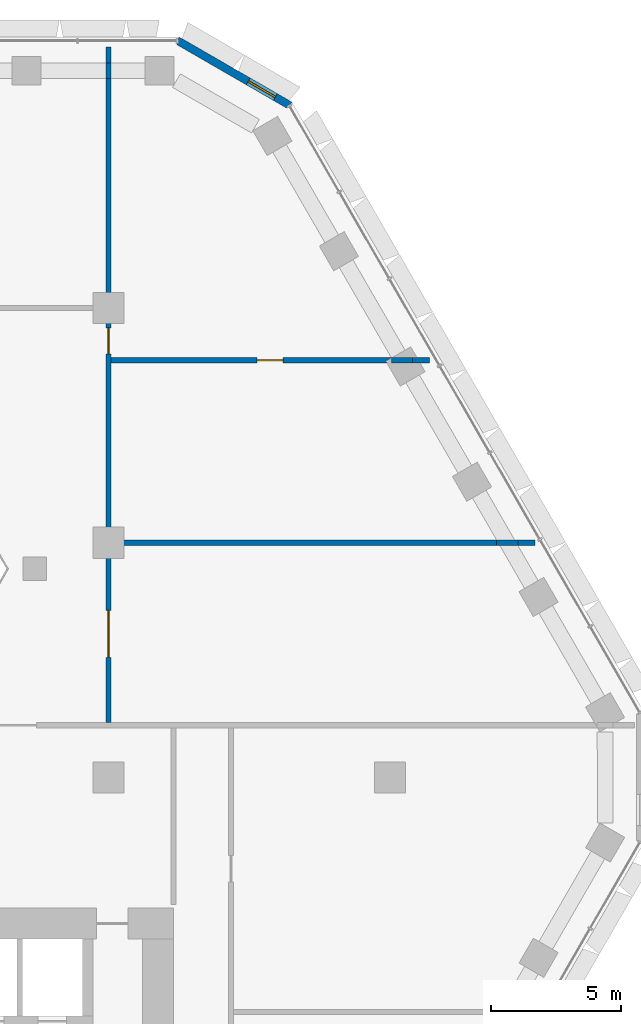
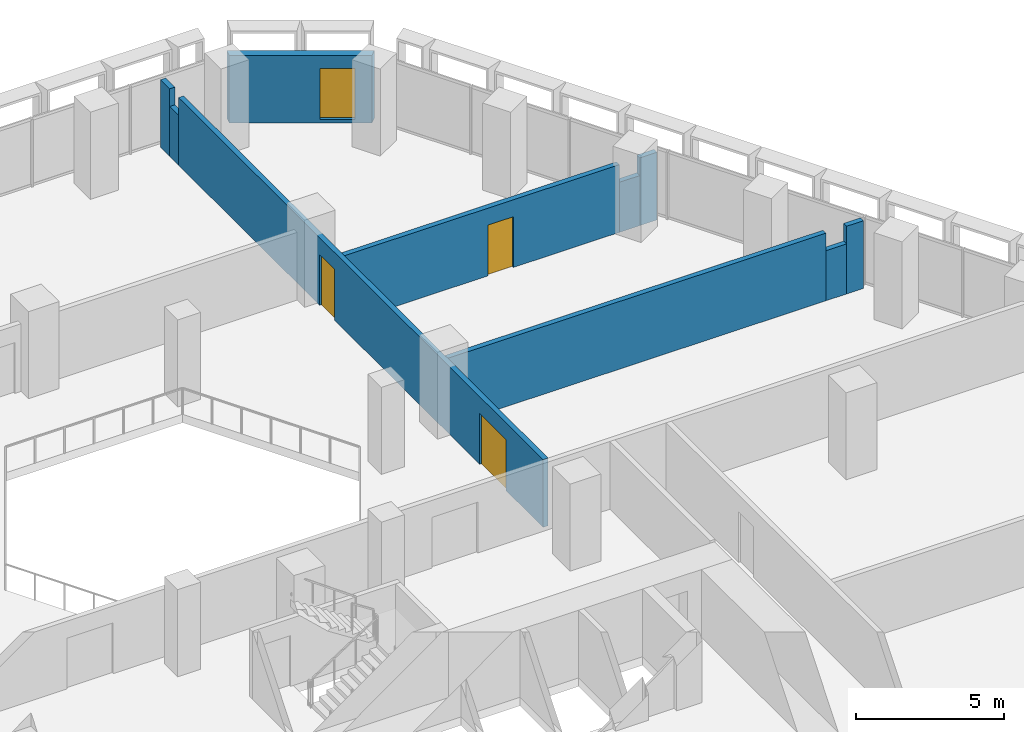
# One storey, part 14 of 21: 10 walls, 3 doors, 1 window, 4 openings.
"""IFC4 building model written with IfcOpenShell, lengths in metres."""

from ifc_helpers import new_model, si_unit, direction, frame, frame_2d, origin, place, context, subcontext, project, spatial, polyline, rectangle, outline, extrude, material, layer, layer_set, type_object, element, fill, save


model = new_model("IFC4")

# Units and contexts
model_context = context("Model", 3, precision=1e-05, world=origin(), true_north=direction((0.0, 1.0)))
body_context = subcontext(model_context, "Body", "Model", "MODEL_VIEW")
ifc_project = project(units=[si_unit("LENGTHUNIT", "METRE"), si_unit("AREAUNIT", "SQUARE_METRE"), si_unit("VOLUMEUNIT", "CUBIC_METRE"), si_unit("PLANEANGLEUNIT", "RADIAN"), si_unit("MASSUNIT", "GRAM", prefix="KILO")], contexts=[model_context])

# Site, building, storey
site_placement = place(None, origin())
site = spatial("IfcSite", under=ifc_project, at=site_placement, CompositionType="ELEMENT")
building_placement = place(site_placement, origin())
building = spatial("IfcBuilding", under=site, at=building_placement, Name="Beryl Residences", CompositionType="ELEMENT")
storey_placement = place(building_placement, frame((0.0, 0.0, 19.800048828125)))
storey = spatial("IfcBuildingStorey", under=building, at=storey_placement, Name="L05", CompositionType="ELEMENT", Elevation=19.800048828125)

# Wall, opening, window
ifc_material_1 = material(Name="Composite metal panel with mineral wool insulation")
ifc_layer_1 = layer(ifc_material_1, 0.300048828125)
ifc_layer_set_1 = layer_set([ifc_layer_1], Name="ES1 pale metal composite panel wall 300 mm")
wall_type_1 = type_object("IfcWallType", Name="ES1 pale metal composite panel wall 300 mm", PredefinedType="SOLIDWALL", material=ifc_layer_set_1)
wall_1_placement = place(storey_placement, frame((17.764892578125, 25.77001953125, 0.0), z_axis=(0.0, 0.0, 1.0), x_axis=(-0.866010750942, 0.50002537861, 0.0)))
wall_1 = element("IfcWall", 1, at=wall_1_placement, inside=storey, type_object=wall_type_1, Name="ES1 external wall L05 NE-N", PredefinedType="SOLIDWALL", context=body_context, shape_type="SweptSolid", body=[
    extrude(outline(polyline([(0.0, -0.14990234375), (4.999755859375, -0.14990234375), (4.91943359375, 0.14990234375), (0.080322265625, 0.14990234375), (0.0, -0.14990234375)])), origin(), (0.0, 0.0, 1.0), 2.800048828125),
])
opening_1_placement = place(wall_1_placement, frame((0.64990234375, 0.0, 0.14990234375)))
opening_1 = element("IfcOpeningElement", 2, at=opening_1_placement, cuts=wall_1, Name="Opening W2", PredefinedType="OPENING", context=body_context, shape_type="SweptSolid", body=[
    extrude(rectangle(XDim=1.199951171875, YDim=2.10009765625, at=frame_2d((0.60009765625, 1.050048828125))), frame((0.0, 0.159912109375, 0.0), z_axis=(0.0, -1.0, 0.0), x_axis=(1.0, 0.0, 0.0)), (0.0, 0.0, 1.0), 0.320068359375),
])
ifc_material_2 = material(Name="Aluminium and clear glass", Category="aluminium")
window_type = type_object("IfcWindowType", Name="W2 chamfer window 1200 x 2100 mm", PartitioningType="SINGLE_PANEL", PredefinedType="WINDOW", material=ifc_material_2)
window_placement = place(opening_1_placement, origin())
window = element("IfcWindow", 3, at=window_placement, inside=storey, type_object=window_type, Name="W2 window L05 NE-N 1", OverallHeight=2.10009765625, OverallWidth=1.199951171875, PartitioningType="SINGLE_PANEL", PredefinedType="WINDOW", context=body_context, shape_type="SweptSolid", body=[
    extrude(rectangle(XDim=1.199951171875, YDim=2.10009765625, at=frame_2d((0.60009765625, 1.050048828125))), frame((0.0, 0.030029296875, 0.0), z_axis=(0.0, -1.0, 0.0), x_axis=(1.0, 0.0, 0.0)), (0.0, 0.0, 1.0), 0.06005859375),
])
fill(opening_1, window)

# Walls
ifc_material_3 = material(Name="Double stud gypsum board wall")
ifc_layer_2 = layer(ifc_material_3, 0.199951171875)
ifc_layer_set_2 = layer_set([ifc_layer_2], Name="PT4 corridor wall 200 mm double stud")
wall_type_2 = type_object("IfcWallType", Name="PT4 corridor wall 200 mm double stud", PredefinedType="PARTITIONING", material=ifc_layer_set_2)
wall_2_placement = place(storey_placement, frame((10.89990234375, 9.0, 0.0), z_axis=(0.0, 0.0, 1.0), x_axis=(1.0, 0.0, 0.0)))
element("IfcWall", 4, at=wall_2_placement, inside=storey, type_object=wall_type_2, Name="Wall PT4 L05 013", PredefinedType="PARTITIONING", context=body_context, shape_type="SweptSolid", body=[
    extrude(rectangle(XDim=14.7919921875, YDim=0.199951171875, at=frame_2d((7.39599609375, 0.0))), origin(), (0.0, 0.0, 1.0), 2.800048828125),
])
wall_3_placement = place(storey_placement, frame((25.69189453125, 9.0, 0.0), z_axis=(0.0, 0.0, 1.0), x_axis=(1.0, 0.0, 0.0)))
element("IfcWall", 5, at=wall_3_placement, inside=storey, type_object=wall_type_2, Name="Wall PT4 L05 014", PredefinedType="PARTITIONING", context=body_context, shape_type="SweptSolid", body=[
    extrude(rectangle(XDim=0.80908203125, YDim=0.199951171875, at=frame_2d((0.404541015625, 0.0))), origin(), (0.0, 0.0, 1.0), 2.070068359375),
])
wall_4_placement = place(storey_placement, frame((26.5009765625, 9.0, 0.0), z_axis=(0.0, 0.0, 1.0), x_axis=(1.0, 0.0, 0.0)))
element("IfcWall", 6, at=wall_4_placement, inside=storey, type_object=wall_type_2, Name="Wall PT4 L05 015", PredefinedType="PARTITIONING", context=body_context, shape_type="SweptSolid", body=[
    extrude(rectangle(XDim=0.656982421875, YDim=0.199951171875, at=frame_2d((0.32861328125, 0.0))), origin(), (0.0, 0.0, 1.0), 2.800048828125),
])

# Wall, opening, door
wall_5_placement = place(storey_placement, frame((10.89990234375, 16.0, 0.0), z_axis=(0.0, 0.0, 1.0), x_axis=(1.0, 0.0, 0.0)))
wall_5 = element("IfcWall", 7, at=wall_5_placement, inside=storey, type_object=wall_type_2, Name="Wall PT4 L05 019", PredefinedType="PARTITIONING", context=body_context, shape_type="SweptSolid", body=[
    extrude(rectangle(XDim=10.7509765625, YDim=0.199951171875, at=frame_2d((5.37548828125, 0.0))), origin(), (0.0, 0.0, 1.0), 2.800048828125),
])
opening_2_placement = place(wall_5_placement, frame((6.60498046875, 0.0, 0.0), z_axis=(0.0, 0.0, 1.0), x_axis=(-1.0, 0.0, 0.0)))
opening_2 = element("IfcOpeningElement", 8, at=opening_2_placement, cuts=wall_5, Name="Opening L05-12", PredefinedType="OPENING", context=body_context, shape_type="SweptSolid", body=[
    extrude(rectangle(XDim=1.0, YDim=2.10009765625, at=frame_2d((0.5, 1.050048828125))), frame((0.0, 0.10986328125, 0.0), z_axis=(0.0, -1.0, 0.0), x_axis=(1.0, 0.0, 0.0)), (0.0, 0.0, 1.0), 0.219970703125),
])
ifc_material_4 = material(Name="Timber door leaf", Category="wood")
door_type_1 = type_object("IfcDoorType", Name="D9 corridor door 1000 x 2100 mm", OperationType="SINGLE_SWING_LEFT", PredefinedType="DOOR", material=ifc_material_4)
door_1_placement = place(opening_2_placement, origin())
door_1 = element("IfcDoor", 9, at=door_1_placement, inside=storey, type_object=door_type_1, Name="Door L05-12 L05 001", OperationType="SINGLE_SWING_LEFT", OverallHeight=2.10009765625, OverallWidth=1.0, PredefinedType="DOOR", context=body_context, shape_type="SweptSolid", body=[
    extrude(rectangle(XDim=1.0, YDim=2.10009765625, at=frame_2d((0.5, 1.050048828125))), frame((0.0, 0.02490234375, 0.0), z_axis=(0.0, -1.0, 0.0), x_axis=(1.0, 0.0, 0.0)), (0.0, 0.0, 1.0), 0.050048828125),
])
fill(opening_2, door_1)

# Walls
wall_6_placement = place(storey_placement, frame((21.65087890625, 16.0, 0.0), z_axis=(0.0, 0.0, 1.0), x_axis=(1.0, 0.0, 0.0)))
element("IfcWall", 10, at=wall_6_placement, inside=storey, type_object=wall_type_2, Name="Wall PT4 L05 020", PredefinedType="PARTITIONING", context=body_context, shape_type="SweptSolid", body=[
    extrude(rectangle(XDim=0.802001953125, YDim=0.199951171875, at=frame_2d((0.40087890625, 0.0))), origin(), (0.0, 0.0, 1.0), 2.070068359375),
])
wall_7_placement = place(storey_placement, frame((22.452880859375, 16.0, 0.0), z_axis=(0.0, 0.0, 1.0), x_axis=(1.0, 0.0, 0.0)))
element("IfcWall", 11, at=wall_7_placement, inside=storey, type_object=wall_type_2, Name="Wall PT4 L05 021", PredefinedType="PARTITIONING", context=body_context, shape_type="SweptSolid", body=[
    extrude(rectangle(XDim=0.6640625, YDim=0.199951171875, at=frame_2d((0.33203125, 0.0))), origin(), (0.0, 0.0, 1.0), 2.800048828125),
])

# Wall, openings, doors
wall_8_placement = place(storey_placement, frame((10.800048828125, 2.10009765625, 0.0), z_axis=(0.0, 0.0, 1.0), x_axis=(0.0, 1.0, 0.0)))
wall_8 = element("IfcWall", 12, at=wall_8_placement, inside=storey, type_object=wall_type_2, Name="Wall PT4 L05 030", PredefinedType="PARTITIONING", context=body_context, shape_type="SweptSolid", body=[
    extrude(rectangle(XDim=24.699951171875, YDim=0.199951171875, at=frame_2d((12.35009765625, 0.0))), origin(), (0.0, 0.0, 1.0), 2.800048828125),
])
opening_3_placement = place(wall_8_placement, frame((4.302001953125, 0.0, 0.0), z_axis=(0.0, 0.0, 1.0), x_axis=(-1.0, 0.0, 0.0)))
opening_3 = element("IfcOpeningElement", 13, at=opening_3_placement, cuts=wall_8, Name="Opening L05-11", PredefinedType="OPENING", context=body_context, shape_type="SweptSolid", body=[
    extrude(rectangle(XDim=1.800048828125, YDim=2.10009765625, at=frame_2d((0.89990234375, 1.050048828125))), frame((0.0, 0.10986328125, 0.0), z_axis=(0.0, -1.0, 0.0), x_axis=(1.0, 0.0, 0.0)), (0.0, 0.0, 1.0), 0.219970703125),
])
opening_4_placement = place(wall_8_placement, frame((14.14599609375, 0.0, 0.0)))
opening_4 = element("IfcOpeningElement", 14, at=opening_4_placement, cuts=wall_8, Name="Opening L05-18", PredefinedType="OPENING", context=body_context, shape_type="SweptSolid", body=[
    extrude(rectangle(XDim=1.0, YDim=2.10009765625, at=frame_2d((0.5, 1.050048828125))), frame((0.0, 0.10986328125, 0.0), z_axis=(0.0, -1.0, 0.0), x_axis=(1.0, 0.0, 0.0)), (0.0, 0.0, 1.0), 0.219970703125),
])
ifc_material_5 = material(Name="Timber door leaf", Category="wood")
door_type_2 = type_object("IfcDoorType", Name="D20 corridor door 1800 x 2100 mm", OperationType="DOUBLE_DOOR_SINGLE_SWING", PredefinedType="DOOR", material=ifc_material_5)
door_2_placement = place(opening_3_placement, origin())
door_2 = element("IfcDoor", 15, at=door_2_placement, inside=storey, type_object=door_type_2, Name="Door L05-11 L05 001", OperationType="DOUBLE_DOOR_SINGLE_SWING", OverallHeight=2.10009765625, OverallWidth=1.800048828125, PredefinedType="DOOR", context=body_context, shape_type="SweptSolid", body=[
    extrude(rectangle(XDim=1.800048828125, YDim=2.10009765625, at=frame_2d((0.89990234375, 1.050048828125))), frame((0.0, 0.02490234375, 0.0), z_axis=(0.0, -1.0, 0.0), x_axis=(1.0, 0.0, 0.0)), (0.0, 0.0, 1.0), 0.050048828125),
])
fill(opening_3, door_2)
door_3_placement = place(opening_4_placement, origin())
door_3 = element("IfcDoor", 16, at=door_3_placement, inside=storey, type_object=door_type_1, Name="Door L05-18 L05 001", OperationType="SINGLE_SWING_RIGHT", OverallHeight=2.10009765625, OverallWidth=1.0, PredefinedType="DOOR", context=body_context, shape_type="SweptSolid", body=[
    extrude(rectangle(XDim=1.0, YDim=2.10009765625, at=frame_2d((0.5, 1.050048828125))), frame((0.0, 0.02490234375, 0.0), z_axis=(0.0, -1.0, 0.0), x_axis=(1.0, 0.0, 0.0)), (0.0, 0.0, 1.0), 0.050048828125),
])
fill(opening_4, door_3)

# Walls
wall_9_placement = place(storey_placement, frame((10.800048828125, 26.800048828125, 0.0), z_axis=(0.0, 0.0, 1.0), x_axis=(0.0, 1.0, 0.0)))
element("IfcWall", 17, at=wall_9_placement, inside=storey, type_object=wall_type_2, Name="Wall PT4 L05 031", PredefinedType="PARTITIONING", context=body_context, shape_type="SweptSolid", body=[
    extrude(rectangle(XDim=0.599853515625, YDim=0.199951171875, at=frame_2d((0.2998046875, 0.0))), origin(), (0.0, 0.0, 1.0), 2.070068359375),
])
wall_10_placement = place(storey_placement, frame((10.800048828125, 27.39990234375, 0.0), z_axis=(0.0, 0.0, 1.0), x_axis=(0.0, 1.0, 0.0)))
element("IfcWall", 18, at=wall_10_placement, inside=storey, type_object=wall_type_2, Name="Wall PT4 L05 032", PredefinedType="PARTITIONING", context=body_context, shape_type="SweptSolid", body=[
    extrude(rectangle(XDim=0.6201171875, YDim=0.199951171875, at=frame_2d((0.31005859375, 0.0))), origin(), (0.0, 0.0, 1.0), 2.800048828125),
])

save(model, "model.ifc")
